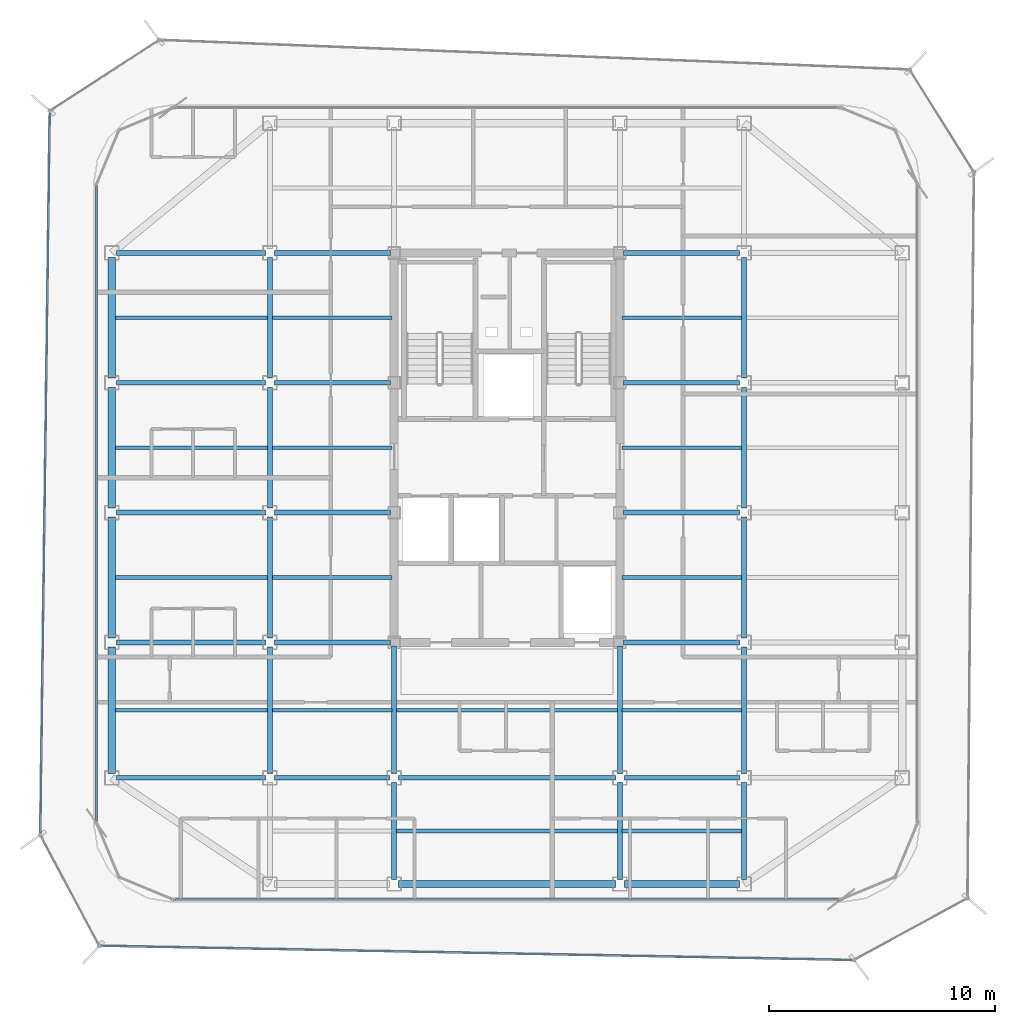
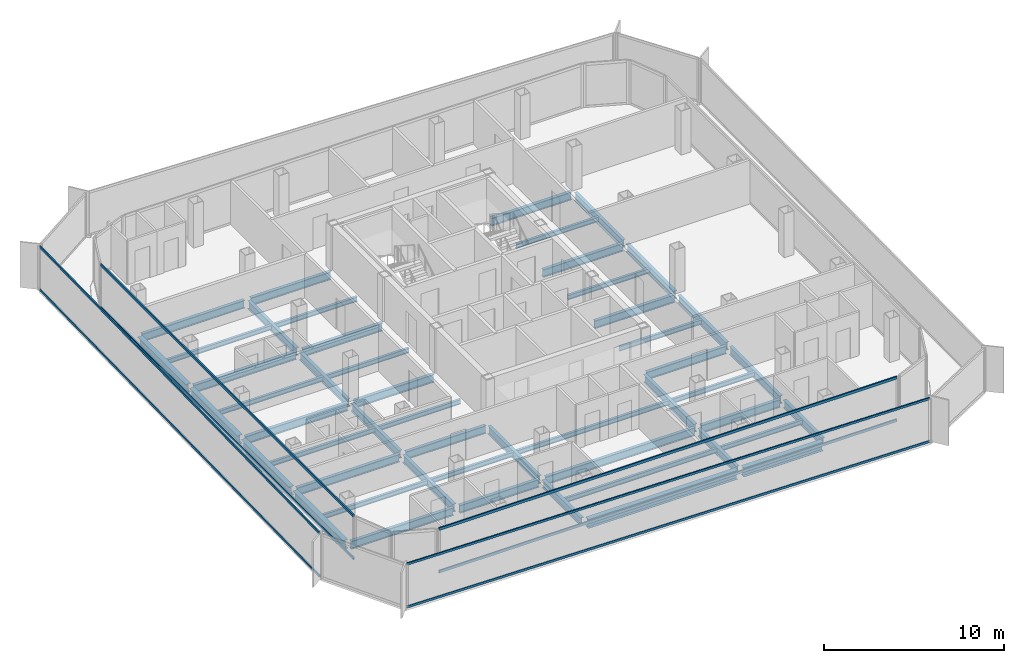
# One storey, part 3 of 15: 50 beams, 8 members, 4 elements without a shape of their own.
"""IFC4 building model written with IfcOpenShell, lengths in metres."""

from ifc_helpers import new_model, si_unit, direction, frame, origin, origin_2d, place, context, subcontext, project, spatial, hollow_rectangle, i_section, extrude, source, transform, mapped, material, layer, layer_set, material_profile, profile_set, type_object, element, aggregate, save


model = new_model("IFC4")

# Units and contexts
model_context = context("Model", 3, precision=1e-05, world=origin(), true_north=direction((0.0, 1.0)))
body_context = subcontext(model_context, "Body", "Model", "MODEL_VIEW")
ifc_project = project(units=[si_unit("LENGTHUNIT", "METRE"), si_unit("AREAUNIT", "SQUARE_METRE"), si_unit("VOLUMEUNIT", "CUBIC_METRE"), si_unit("PLANEANGLEUNIT", "RADIAN"), si_unit("MASSUNIT", "GRAM", prefix="KILO")], contexts=[model_context])

# Site, building, storey
site_placement = place(None, origin())
site = spatial("IfcSite", under=ifc_project, at=site_placement, CompositionType="ELEMENT")
building_placement = place(site_placement, origin())
building = spatial("IfcBuilding", under=site, at=building_placement, Name="Kolveth Station Tower", CompositionType="ELEMENT")
storey_placement = place(building_placement, frame((0.0, 0.0, 261.699951171875)))
storey = spatial("IfcBuildingStorey", under=building, at=storey_placement, Name="L75", CompositionType="ELEMENT", Elevation=261.699951171875)

# Beams
ifc_material_1 = material(Name="Steel S355", Category="steel")
ifc_material_profile_1 = material_profile(ifc_material_1, i_section(OverallWidth=0.323974609375, OverallDepth=0.611083984375, WebThickness=0.0126953125, FlangeThickness=0.01904296875, at=origin_2d()), Name="W610x155")
ifc_profile_set_1 = profile_set([ifc_material_profile_1], Name="Steel S355")
beam_type_1 = type_object("IfcBeamType", Name="Beam_SP2", PredefinedType="SPANDREL", material=ifc_profile_set_1)
shared_shape_1 = source(origin(), body_context, "Body", "SweptSolid", [
    extrude(i_section(OverallWidth=0.323974609375, OverallDepth=0.611083984375, WebThickness=0.0126953125, FlangeThickness=0.01904296875, at=origin_2d()), origin(), (0.0, 0.0, 1.0), 5.10009765625),
])
beam_1_placement = place(storey_placement, frame((28.699951171875, 0.800048828125, -0.525390625), z_axis=(1.0, 0.0, 0.0), x_axis=(0.0, 1.0, 0.0)))
element("IfcBeam", 1, at=beam_1_placement, inside=storey, type_object=beam_type_1, Name="L75 Perimeter Spandrel BM-L75-PS-3", PredefinedType="SPANDREL", context=body_context, shape_type="MappedRepresentation", body=[
    mapped(shared_shape_1, transform((0.0, 0.0, 0.0), x_axis=(1.0, 0.0, 0.0), y_axis=(0.0, 1.0, 0.0), z_axis=(0.0, 0.0, 1.0), scale=1.0)),
])
shared_shape_2 = source(origin(), body_context, "Body", "SweptSolid", [
    extrude(i_section(OverallWidth=0.323974609375, OverallDepth=0.611083984375, WebThickness=0.0126953125, FlangeThickness=0.01904296875, at=origin_2d()), origin(), (0.0, 0.0, 1.0), 9.60009765625),
])
beam_2_placement = place(storey_placement, frame((18.699951171875, 0.800048828125, -0.525390625), z_axis=(1.0, 0.0, 0.0), x_axis=(0.0, 1.0, 0.0)))
element("IfcBeam", 2, at=beam_2_placement, inside=storey, type_object=beam_type_1, Name="L75 Perimeter Spandrel BM-L75-PS-2", PredefinedType="SPANDREL", context=body_context, shape_type="MappedRepresentation", body=[
    mapped(shared_shape_2, transform((0.0, 0.0, 0.0), x_axis=(1.0, 0.0, 0.0), y_axis=(0.0, 1.0, 0.0), z_axis=(0.0, 0.0, 1.0), scale=1.0)),
])
shared_shape_3 = source(origin(), body_context, "Body", "SweptSolid", [
    extrude(i_section(OverallWidth=0.323974609375, OverallDepth=0.611083984375, WebThickness=0.0126953125, FlangeThickness=0.01904296875, at=origin_2d()), origin(), (0.0, 0.0, 1.0), 5.60009765625),
])
beam_3_placement = place(storey_placement, frame((6.0, 5.699951171875, -0.525390625), z_axis=(0.0, 1.0, 0.0), x_axis=(-1.0, 0.0, 0.0)))
element("IfcBeam", 3, at=beam_3_placement, inside=storey, type_object=beam_type_1, Name="L75 Perimeter Spandrel BM-L75-PW-1", PredefinedType="SPANDREL", context=body_context, shape_type="MappedRepresentation", body=[
    mapped(shared_shape_3, transform((0.0, 0.0, 0.0), x_axis=(1.0, 0.0, 0.0), y_axis=(0.0, 1.0, 0.0), z_axis=(0.0, 0.0, 1.0), scale=1.0)),
])
shared_shape_4 = source(origin(), body_context, "Body", "SweptSolid", [
    extrude(i_section(OverallWidth=0.323974609375, OverallDepth=0.611083984375, WebThickness=0.0126953125, FlangeThickness=0.01904296875, at=origin_2d()), origin(), (0.0, 0.0, 1.0), 5.35009765625),
])
for number, where, z_axis, x_axis, name in (
    (4, (6.0, 11.699951171875, -0.525390625), (0.0, 1.0, 0.0), (-1.0, 0.0, 0.0), "L75 Perimeter Spandrel BM-L75-PW-2"),
    (5, (6.0, 17.449951171875, -0.525390625), (0.0, 1.0, 0.0), (-1.0, 0.0, 0.0), "L75 Perimeter Spandrel BM-L75-PW-3"),
    (6, (6.0, 23.199951171875, -0.525390625), (0.0, 1.0, 0.0), (-1.0, 0.0, 0.0), "L75 Perimeter Spandrel BM-L75-PW-4"),
):
    element("IfcBeam", number, at=place(storey_placement, frame(where, z_axis=z_axis, x_axis=x_axis)), inside=storey, type_object=beam_type_1, Name=name, PredefinedType="SPANDREL", context=body_context, shape_type="MappedRepresentation", body=[
        mapped(shared_shape_4, transform((0.0, 0.0, 0.0), x_axis=(1.0, 0.0, 0.0), y_axis=(0.0, 1.0, 0.0), z_axis=(0.0, 0.0, 1.0), scale=1.0)),
    ])
ifc_material_profile_2 = material_profile(ifc_material_1, i_section(OverallWidth=0.2099609375, OverallDepth=0.537109375, WebThickness=0.010986328125, FlangeThickness=0.017333984375, at=origin_2d()), Name="W530x101")
ifc_profile_set_2 = profile_set([ifc_material_profile_2], Name="Steel S355")
beam_type_2 = type_object("IfcBeamType", Name="Beam_B6", PredefinedType="BEAM", material=ifc_profile_set_2)
shared_shape_5 = source(origin(), body_context, "Body", "SweptSolid", [
    extrude(i_section(OverallWidth=0.2099609375, OverallDepth=0.537109375, WebThickness=0.010986328125, FlangeThickness=0.017333984375, at=origin_2d()), origin(), (0.0, 0.0, 1.0), 6.60009765625),
])
for number, where, z_axis, x_axis, name in (
    (7, (6.199951171875, 5.5, -0.488525390625), (1.0, 0.0, 0.0), (0.0, 1.0, 0.0), "L75 Primary Girder BM-L75-GY55-1"),
    (8, (6.199951171875, 11.5, -0.488525390625), (1.0, 0.0, 0.0), (0.0, 1.0, 0.0), "L75 Primary Girder BM-L75-GY115-1"),
    (9, (6.199951171875, 17.25, -0.488525390625), (1.0, 0.0, 0.0), (0.0, 1.0, 0.0), "L75 Primary Girder BM-L75-GY172-1"),
    (10, (6.199951171875, 23.0, -0.488525390625), (1.0, 0.0, 0.0), (0.0, 1.0, 0.0), "L75 Primary Girder BM-L75-GY230-1"),
    (11, (6.199951171875, 28.75, -0.488525390625), (1.0, 0.0, 0.0), (0.0, 1.0, 0.0), "L75 Primary Girder BM-L75-GY287-1"),
):
    element("IfcBeam", number, at=place(storey_placement, frame(where, z_axis=z_axis, x_axis=x_axis)), inside=storey, type_object=beam_type_2, Name=name, PredefinedType="BEAM", context=body_context, shape_type="MappedRepresentation", body=[
        mapped(shared_shape_5, transform((0.0, 0.0, 0.0), x_axis=(1.0, 0.0, 0.0), y_axis=(0.0, 1.0, 0.0), z_axis=(0.0, 0.0, 1.0), scale=1.0)),
    ])
shared_shape_6 = source(origin(), body_context, "Body", "SweptSolid", [
    extrude(i_section(OverallWidth=0.2099609375, OverallDepth=0.537109375, WebThickness=0.010986328125, FlangeThickness=0.017333984375, at=origin_2d()), origin(), (0.0, 0.0, 1.0), 5.10009765625),
])
for number, where, z_axis, x_axis, name in (
    (12, (13.199951171875, 5.5, -0.488525390625), (1.0, 0.0, 0.0), (0.0, 1.0, 0.0), "L75 Primary Girder BM-L75-GY55-2"),
    (13, (28.699951171875, 5.5, -0.488525390625), (1.0, 0.0, 0.0), (0.0, 1.0, 0.0), "L75 Primary Girder BM-L75-GY55-4"),
):
    element("IfcBeam", number, at=place(storey_placement, frame(where, z_axis=z_axis, x_axis=x_axis)), inside=storey, type_object=beam_type_2, Name=name, PredefinedType="BEAM", context=body_context, shape_type="MappedRepresentation", body=[
        mapped(shared_shape_6, transform((0.0, 0.0, 0.0), x_axis=(1.0, 0.0, 0.0), y_axis=(0.0, 1.0, 0.0), z_axis=(0.0, 0.0, 1.0), scale=1.0)),
    ])
shared_shape_7 = source(origin(), body_context, "Body", "SweptSolid", [
    extrude(i_section(OverallWidth=0.2099609375, OverallDepth=0.537109375, WebThickness=0.010986328125, FlangeThickness=0.017333984375, at=origin_2d()), origin(), (0.0, 0.0, 1.0), 9.60009765625),
])
beam_4_placement = place(storey_placement, frame((18.699951171875, 5.5, -0.488525390625), z_axis=(1.0, 0.0, 0.0), x_axis=(0.0, 1.0, 0.0)))
element("IfcBeam", 14, at=beam_4_placement, inside=storey, type_object=beam_type_2, Name="L75 Primary Girder BM-L75-GY55-3", PredefinedType="BEAM", context=body_context, shape_type="MappedRepresentation", body=[
    mapped(shared_shape_7, transform((0.0, 0.0, 0.0), x_axis=(1.0, 0.0, 0.0), y_axis=(0.0, 1.0, 0.0), z_axis=(0.0, 0.0, 1.0), scale=1.0)),
])
shared_shape_8 = source(origin(), body_context, "Body", "SweptSolid", [
    extrude(i_section(OverallWidth=0.2099609375, OverallDepth=0.537109375, WebThickness=0.010986328125, FlangeThickness=0.017333984375, at=origin_2d()), origin(), (0.0, 0.0, 1.0), 5.14013671875),
])
for number, where, z_axis, x_axis, name in (
    (15, (13.199951171875, 11.5, -0.488525390625), (1.0, 0.0, 0.0), (0.0, 1.0, 0.0), "L75 Primary Girder BM-L75-GY115-2"),
    (16, (28.659912109375, 11.5, -0.488525390625), (1.0, 0.0, 0.0), (0.0, 1.0, 0.0), "L75 Primary Girder BM-L75-GY115-4"),
    (17, (13.199951171875, 17.25, -0.488525390625), (1.0, 0.0, 0.0), (0.0, 1.0, 0.0), "L75 Primary Girder BM-L75-GY172-2"),
    (18, (28.659912109375, 17.25, -0.488525390625), (1.0, 0.0, 0.0), (0.0, 1.0, 0.0), "L75 Primary Girder BM-L75-GY172-4"),
    (19, (13.199951171875, 23.0, -0.488525390625), (1.0, 0.0, 0.0), (0.0, 1.0, 0.0), "L75 Primary Girder BM-L75-GY230-2"),
    (20, (28.659912109375, 23.0, -0.488525390625), (1.0, 0.0, 0.0), (0.0, 1.0, 0.0), "L75 Primary Girder BM-L75-GY230-4"),
    (21, (13.199951171875, 28.75, -0.488525390625), (1.0, 0.0, 0.0), (0.0, 1.0, 0.0), "L75 Primary Girder BM-L75-GY287-2"),
    (22, (28.659912109375, 28.75, -0.488525390625), (1.0, 0.0, 0.0), (0.0, 1.0, 0.0), "L75 Primary Girder BM-L75-GY287-4"),
):
    element("IfcBeam", number, at=place(storey_placement, frame(where, z_axis=z_axis, x_axis=x_axis)), inside=storey, type_object=beam_type_2, Name=name, PredefinedType="BEAM", context=body_context, shape_type="MappedRepresentation", body=[
        mapped(shared_shape_8, transform((0.0, 0.0, 0.0), x_axis=(1.0, 0.0, 0.0), y_axis=(0.0, 1.0, 0.0), z_axis=(0.0, 0.0, 1.0), scale=1.0)),
    ])
shared_shape_9 = source(origin(), body_context, "Body", "SweptSolid", [
    extrude(i_section(OverallWidth=0.2099609375, OverallDepth=0.537109375, WebThickness=0.010986328125, FlangeThickness=0.017333984375, at=origin_2d()), origin(), (0.0, 0.0, 1.0), 4.300048828125),
])
for number, where, z_axis, x_axis, name in (
    (23, (18.5, 1.0, -0.488525390625), (0.0, 1.0, 0.0), (-1.0, 0.0, 0.0), "L75 Primary Girder BM-L75-GX185-1"),
    (24, (28.5, 1.0, -0.488525390625), (0.0, 1.0, 0.0), (-1.0, 0.0, 0.0), "L75 Primary Girder BM-L75-GX285-1"),
    (25, (34.0, 1.0, -0.488525390625), (0.0, 1.0, 0.0), (-1.0, 0.0, 0.0), "L75 Primary Girder BM-L75-GX340-1"),
):
    element("IfcBeam", number, at=place(storey_placement, frame(where, z_axis=z_axis, x_axis=x_axis)), inside=storey, type_object=beam_type_2, Name=name, PredefinedType="BEAM", context=body_context, shape_type="MappedRepresentation", body=[
        mapped(shared_shape_9, transform((0.0, 0.0, 0.0), x_axis=(1.0, 0.0, 0.0), y_axis=(0.0, 1.0, 0.0), z_axis=(0.0, 0.0, 1.0), scale=1.0)),
    ])
shared_shape_10 = source(origin(), body_context, "Body", "SweptSolid", [
    extrude(i_section(OverallWidth=0.2099609375, OverallDepth=0.537109375, WebThickness=0.010986328125, FlangeThickness=0.017333984375, at=origin_2d()), origin(), (0.0, 0.0, 1.0), 5.60009765625),
])
for number, where, z_axis, x_axis, name in (
    (26, (13.0, 5.699951171875, -0.488525390625), (0.0, 1.0, 0.0), (-1.0, 0.0, 0.0), "L75 Primary Girder BM-L75-GX130-2"),
    (27, (34.0, 5.699951171875, -0.488525390625), (0.0, 1.0, 0.0), (-1.0, 0.0, 0.0), "L75 Primary Girder BM-L75-GX340-2"),
):
    element("IfcBeam", number, at=place(storey_placement, frame(where, z_axis=z_axis, x_axis=x_axis)), inside=storey, type_object=beam_type_2, Name=name, PredefinedType="BEAM", context=body_context, shape_type="MappedRepresentation", body=[
        mapped(shared_shape_10, transform((0.0, 0.0, 0.0), x_axis=(1.0, 0.0, 0.0), y_axis=(0.0, 1.0, 0.0), z_axis=(0.0, 0.0, 1.0), scale=1.0)),
    ])
shared_shape_11 = source(origin(), body_context, "Body", "SweptSolid", [
    extrude(i_section(OverallWidth=0.2099609375, OverallDepth=0.537109375, WebThickness=0.010986328125, FlangeThickness=0.017333984375, at=origin_2d()), origin(), (0.0, 0.0, 1.0), 5.35009765625),
])
for number, where, z_axis, x_axis, name in (
    (28, (13.0, 11.699951171875, -0.488525390625), (0.0, 1.0, 0.0), (-1.0, 0.0, 0.0), "L75 Primary Girder BM-L75-GX130-3"),
    (29, (13.0, 17.449951171875, -0.488525390625), (0.0, 1.0, 0.0), (-1.0, 0.0, 0.0), "L75 Primary Girder BM-L75-GX130-4"),
    (30, (13.0, 23.199951171875, -0.488525390625), (0.0, 1.0, 0.0), (-1.0, 0.0, 0.0), "L75 Primary Girder BM-L75-GX130-5"),
    (31, (34.0, 11.699951171875, -0.488525390625), (0.0, 1.0, 0.0), (-1.0, 0.0, 0.0), "L75 Primary Girder BM-L75-GX340-3"),
    (32, (34.0, 17.449951171875, -0.488525390625), (0.0, 1.0, 0.0), (-1.0, 0.0, 0.0), "L75 Primary Girder BM-L75-GX340-4"),
    (33, (34.0, 23.199951171875, -0.488525390625), (0.0, 1.0, 0.0), (-1.0, 0.0, 0.0), "L75 Primary Girder BM-L75-GX340-5"),
):
    element("IfcBeam", number, at=place(storey_placement, frame(where, z_axis=z_axis, x_axis=x_axis)), inside=storey, type_object=beam_type_2, Name=name, PredefinedType="BEAM", context=body_context, shape_type="MappedRepresentation", body=[
        mapped(shared_shape_11, transform((0.0, 0.0, 0.0), x_axis=(1.0, 0.0, 0.0), y_axis=(0.0, 1.0, 0.0), z_axis=(0.0, 0.0, 1.0), scale=1.0)),
    ])
shared_shape_12 = source(origin(), body_context, "Body", "SweptSolid", [
    extrude(i_section(OverallWidth=0.2099609375, OverallDepth=0.537109375, WebThickness=0.010986328125, FlangeThickness=0.017333984375, at=origin_2d()), origin(), (0.0, 0.0, 1.0), 5.64013671875),
])
for number, where, z_axis, x_axis, name in (
    (34, (18.5, 5.699951171875, -0.488525390625), (0.0, 1.0, 0.0), (-1.0, 0.0, 0.0), "L75 Primary Girder BM-L75-GX185-2"),
    (35, (28.5, 5.699951171875, -0.488525390625), (0.0, 1.0, 0.0), (-1.0, 0.0, 0.0), "L75 Primary Girder BM-L75-GX285-2"),
):
    element("IfcBeam", number, at=place(storey_placement, frame(where, z_axis=z_axis, x_axis=x_axis)), inside=storey, type_object=beam_type_2, Name=name, PredefinedType="BEAM", context=body_context, shape_type="MappedRepresentation", body=[
        mapped(shared_shape_12, transform((0.0, 0.0, 0.0), x_axis=(1.0, 0.0, 0.0), y_axis=(0.0, 1.0, 0.0), z_axis=(0.0, 0.0, 1.0), scale=1.0)),
    ])
ifc_material_profile_3 = material_profile(ifc_material_1, i_section(OverallWidth=0.1650390625, OverallDepth=0.31005859375, WebThickness=0.005859375, FlangeThickness=0.009765625, at=origin_2d()), Name="W310x39")
ifc_profile_set_3 = profile_set([ifc_material_profile_3], Name="Steel S355")
beam_type_3 = type_object("IfcBeamType", Name="Beam_J3", PredefinedType="JOIST", material=ifc_profile_set_3)
shared_shape_13 = source(origin(), body_context, "Body", "SweptSolid", [
    extrude(i_section(OverallWidth=0.1650390625, OverallDepth=0.31005859375, WebThickness=0.005859375, FlangeThickness=0.009765625, at=origin_2d()), origin(), (0.0, 0.0, 1.0), 6.737060546875),
])
for number, where, z_axis, x_axis, name in (
    (36, (6.159912109375, 8.5, -0.375), (1.0, 0.0, 0.0), (0.0, 1.0, 0.0), "L75 Secondary Joist JST-L75-1-2"),
    (37, (6.159912109375, 14.375, -0.375), (1.0, 0.0, 0.0), (0.0, 1.0, 0.0), "L75 Secondary Joist JST-L75-1-3"),
    (38, (6.159912109375, 20.125, -0.375), (1.0, 0.0, 0.0), (0.0, 1.0, 0.0), "L75 Secondary Joist JST-L75-1-4"),
    (39, (6.159912109375, 25.875, -0.375), (1.0, 0.0, 0.0), (0.0, 1.0, 0.0), "L75 Secondary Joist JST-L75-1-5"),
):
    element("IfcBeam", number, at=place(storey_placement, frame(where, z_axis=z_axis, x_axis=x_axis)), inside=storey, type_object=beam_type_3, Name=name, PredefinedType="JOIST", context=body_context, shape_type="MappedRepresentation", body=[
        mapped(shared_shape_13, transform((0.0, 0.0, 0.0), x_axis=(1.0, 0.0, 0.0), y_axis=(0.0, 1.0, 0.0), z_axis=(0.0, 0.0, 1.0), scale=1.0)),
    ])
shared_shape_14 = source(origin(), body_context, "Body", "SweptSolid", [
    extrude(i_section(OverallWidth=0.1650390625, OverallDepth=0.31005859375, WebThickness=0.005859375, FlangeThickness=0.009765625, at=origin_2d()), origin(), (0.0, 0.0, 1.0), 5.2939453125),
])
for number, where, z_axis, x_axis, name in (
    (40, (13.10302734375, 8.5, -0.375), (1.0, 0.0, 0.0), (0.0, 1.0, 0.0), "L75 Secondary Joist JST-L75-2-2"),
    (41, (13.10302734375, 14.375, -0.375), (1.0, 0.0, 0.0), (0.0, 1.0, 0.0), "L75 Secondary Joist JST-L75-2-3"),
    (42, (13.10302734375, 20.125, -0.375), (1.0, 0.0, 0.0), (0.0, 1.0, 0.0), "L75 Secondary Joist JST-L75-2-4"),
    (43, (13.10302734375, 25.875, -0.375), (1.0, 0.0, 0.0), (0.0, 1.0, 0.0), "L75 Secondary Joist JST-L75-2-5"),
    (44, (28.60302734375, 3.14990234375, -0.375), (1.0, 0.0, 0.0), (0.0, 1.0, 0.0), "L75 Secondary Joist JST-L75-4-1"),
    (45, (28.60302734375, 8.5, -0.375), (1.0, 0.0, 0.0), (0.0, 1.0, 0.0), "L75 Secondary Joist JST-L75-4-2"),
    (46, (28.60302734375, 14.375, -0.375), (1.0, 0.0, 0.0), (0.0, 1.0, 0.0), "L75 Secondary Joist JST-L75-4-3"),
    (47, (28.60302734375, 20.125, -0.375), (1.0, 0.0, 0.0), (0.0, 1.0, 0.0), "L75 Secondary Joist JST-L75-4-4"),
    (48, (28.60302734375, 25.875, -0.375), (1.0, 0.0, 0.0), (0.0, 1.0, 0.0), "L75 Secondary Joist JST-L75-4-5"),
):
    element("IfcBeam", number, at=place(storey_placement, frame(where, z_axis=z_axis, x_axis=x_axis)), inside=storey, type_object=beam_type_3, Name=name, PredefinedType="JOIST", context=body_context, shape_type="MappedRepresentation", body=[
        mapped(shared_shape_14, transform((0.0, 0.0, 0.0), x_axis=(1.0, 0.0, 0.0), y_axis=(0.0, 1.0, 0.0), z_axis=(0.0, 0.0, 1.0), scale=1.0)),
    ])
shared_shape_15 = source(origin(), body_context, "Body", "SweptSolid", [
    extrude(i_section(OverallWidth=0.1650390625, OverallDepth=0.31005859375, WebThickness=0.005859375, FlangeThickness=0.009765625, at=origin_2d()), origin(), (0.0, 0.0, 1.0), 9.7939453125),
])
for number, where, z_axis, x_axis, name in (
    (49, (18.60302734375, 3.14990234375, -0.375), (1.0, 0.0, 0.0), (0.0, 1.0, 0.0), "L75 Secondary Joist JST-L75-3-1"),
    (50, (18.60302734375, 8.5, -0.375), (1.0, 0.0, 0.0), (0.0, 1.0, 0.0), "L75 Secondary Joist JST-L75-3-2"),
):
    element("IfcBeam", number, at=place(storey_placement, frame(where, z_axis=z_axis, x_axis=x_axis)), inside=storey, type_object=beam_type_3, Name=name, PredefinedType="JOIST", context=body_context, shape_type="MappedRepresentation", body=[
        mapped(shared_shape_15, transform((0.0, 0.0, 0.0), x_axis=(1.0, 0.0, 0.0), y_axis=(0.0, 1.0, 0.0), z_axis=(0.0, 0.0, 1.0), scale=1.0)),
    ])

# Curtain wall, members
ifc_material_2 = material(Name="Aluminium 6063-T6 and triple low-E dark glass", Category="aluminium")
ifc_layer_1 = layer(ifc_material_2, 0.199951171875)
ifc_layer_set_1 = layer_set([ifc_layer_1], Name="Aluminium 6063-T6 and triple low-E dark glass")
curtain_wall_type_1 = type_object("IfcCurtainWallType", Name="CurtainWall_CW-Z3", PredefinedType="NOTDEFINED", material=ifc_layer_set_1)
curtain_wall_1_placement = place(storey_placement, origin())
curtain_wall_1 = element("IfcCurtainWall", 51, at=curtain_wall_1_placement, inside=storey, type_object=curtain_wall_type_1, Name="L75 Inner Thermal Curtain Wall 9", PredefinedType="NOTDEFINED")
ifc_material_3 = material(Name="Black anodized aluminium 6063-T6", Category="aluminium")
ifc_material_profile_4 = material_profile(ifc_material_3, hollow_rectangle(XDim=0.0849609375, YDim=0.179931640625, WallThickness=0.0048828125, at=origin_2d()), Name="ALU-85x180x5")
ifc_profile_set_4 = profile_set([ifc_material_profile_4], Name="Black anodized aluminium 6063-T6")
member_type_1 = type_object("IfcMemberType", Name="Transom_TR3", PredefinedType="USERDEFINED", material=ifc_profile_set_4)
shared_shape_16 = source(origin(), body_context, "Body", "SweptSolid", [
    extrude(hollow_rectangle(XDim=0.0849609375, YDim=0.179931640625, WallThickness=0.0048828125, at=origin_2d()), origin(), (0.0, 0.0, 1.0), 28.130126953125),
])
member_1_placement = place(storey_placement, frame((5.320068359375, 31.715087890625, 0.04248046875), z_axis=(0.0, -1.0, 0.0), x_axis=(1.0, 0.0, 0.0)))
member_1 = element("IfcMember", 52, at=member_1_placement, type_object=member_type_1, Name="CW-Z3 transom 1.1", ObjectType="TRANSOM", PredefinedType="USERDEFINED", context=body_context, shape_type="MappedRepresentation", body=[
    mapped(shared_shape_16, transform((0.0, 0.0, 0.0), x_axis=(1.0, 0.0, 0.0), y_axis=(0.0, 1.0, 0.0), z_axis=(0.0, 0.0, 1.0), scale=1.0)),
])
member_2_placement = place(storey_placement, frame((5.320068359375, 31.715087890625, 2.9375), z_axis=(0.0, -1.0, 0.0), x_axis=(1.0, 0.0, 0.0)))
member_2 = element("IfcMember", 53, at=member_2_placement, type_object=member_type_1, Name="CW-Z3 transom 1.2", ObjectType="TRANSOM", PredefinedType="USERDEFINED", context=body_context, shape_type="MappedRepresentation", body=[
    mapped(shared_shape_16, transform((0.0, 0.0, 0.0), x_axis=(1.0, 0.0, 0.0), y_axis=(0.0, 1.0, 0.0), z_axis=(0.0, 0.0, 1.0), scale=1.0)),
])
aggregate(curtain_wall_1, [member_1, member_2])

curtain_wall_2_placement = place(storey_placement, origin())
curtain_wall_2 = element("IfcCurtainWall", 54, at=curtain_wall_2_placement, inside=storey, type_object=curtain_wall_type_1, Name="L75 Inner Thermal Curtain Wall 12", PredefinedType="NOTDEFINED")
shared_shape_17 = source(origin(), body_context, "Body", "SweptSolid", [
    extrude(hollow_rectangle(XDim=0.0849609375, YDim=0.179931640625, WallThickness=0.0048828125, at=origin_2d()), origin(), (0.0, 0.0, 1.0), 29.43017578125),
])
member_3_placement = place(storey_placement, frame((8.784912109375, 0.1201171875, 0.04248046875), z_axis=(1.0, 0.0, 0.0), x_axis=(0.0, 1.0, 0.0)))
member_3 = element("IfcMember", 55, at=member_3_placement, type_object=member_type_1, Name="CW-Z3 transom 1.1", ObjectType="TRANSOM", PredefinedType="USERDEFINED", context=body_context, shape_type="MappedRepresentation", body=[
    mapped(shared_shape_17, transform((0.0, 0.0, 0.0), x_axis=(1.0, 0.0, 0.0), y_axis=(0.0, 1.0, 0.0), z_axis=(0.0, 0.0, 1.0), scale=1.0)),
])
member_4_placement = place(storey_placement, frame((8.784912109375, 0.1201171875, 2.9375), z_axis=(1.0, 0.0, 0.0), x_axis=(0.0, 1.0, 0.0)))
member_4 = element("IfcMember", 56, at=member_4_placement, type_object=member_type_1, Name="CW-Z3 transom 1.2", ObjectType="TRANSOM", PredefinedType="USERDEFINED", context=body_context, shape_type="MappedRepresentation", body=[
    mapped(shared_shape_17, transform((0.0, 0.0, 0.0), x_axis=(1.0, 0.0, 0.0), y_axis=(0.0, 1.0, 0.0), z_axis=(0.0, 0.0, 1.0), scale=1.0)),
])
aggregate(curtain_wall_2, [member_3, member_4])

ifc_material_4 = material(Name="Black anodized aluminium 6063-T6 and dark solar glass", Category="aluminium")
ifc_layer_2 = layer(ifc_material_4, 0.159912109375)
ifc_layer_set_2 = layer_set([ifc_layer_2], Name="Black anodized aluminium 6063-T6 and dark solar glass")
curtain_wall_type_2 = type_object("IfcCurtainWallType", Name="OUTER SKIN CW-OS", PredefinedType="NOTDEFINED", material=ifc_layer_set_2)
curtain_wall_3_placement = place(storey_placement, origin())
curtain_wall_3 = element("IfcCurtainWall", 57, at=curtain_wall_3_placement, inside=storey, type_object=curtain_wall_type_2, Name="L75 Outer Ventilated Skin Curtain Wall 6", PredefinedType="NOTDEFINED")
ifc_material_profile_5 = material_profile(ifc_material_3, hollow_rectangle(XDim=0.080078125, YDim=0.14990234375, WallThickness=0.0048828125, at=origin_2d()), Name="ALU-80x150x5")
ifc_profile_set_5 = profile_set([ifc_material_profile_5], Name="Black anodized aluminium 6063-T6")
member_type_2 = type_object("IfcMemberType", Name="Transom_TR-OS", PredefinedType="USERDEFINED", material=ifc_profile_set_5)
shared_shape_18 = source(origin(), body_context, "Body", "SweptSolid", [
    extrude(hollow_rectangle(XDim=0.080078125, YDim=0.14990234375, WallThickness=0.0048828125, at=origin_2d()), origin(), (0.0, 0.0, 1.0), 31.886962890625),
])
member_5_placement = place(storey_placement, frame((3.25244140625, 34.950439453125, 0.0400390625), z_axis=(-0.013107803492, -0.999914089053, 0.0), x_axis=(0.999914089053, -0.013107803492, 0.0)))
member_5 = element("IfcMember", 58, at=member_5_placement, type_object=member_type_2, Name="CW-OS transom 1.1", ObjectType="TRANSOM", PredefinedType="USERDEFINED", context=body_context, shape_type="MappedRepresentation", body=[
    mapped(shared_shape_18, transform((0.0, 0.0, 0.0), x_axis=(1.0, 0.0, 0.0), y_axis=(0.0, 1.0, 0.0), z_axis=(0.0, 0.0, 1.0), scale=1.0)),
])
member_6_placement = place(storey_placement, frame((3.25244140625, 34.950439453125, 2.949951171875), z_axis=(-0.013107803492, -0.999914089053, 0.0), x_axis=(0.999914089053, -0.013107803492, 0.0)))
member_6 = element("IfcMember", 59, at=member_6_placement, type_object=member_type_2, Name="CW-OS transom 1.2", ObjectType="TRANSOM", PredefinedType="USERDEFINED", context=body_context, shape_type="MappedRepresentation", body=[
    mapped(shared_shape_18, transform((0.0, 0.0, 0.0), x_axis=(1.0, 0.0, 0.0), y_axis=(0.0, 1.0, 0.0), z_axis=(0.0, 0.0, 1.0), scale=1.0)),
])
aggregate(curtain_wall_3, [member_5, member_6])

curtain_wall_4_placement = place(storey_placement, origin())
curtain_wall_4 = element("IfcCurtainWall", 60, at=curtain_wall_4_placement, inside=storey, type_object=curtain_wall_type_2, Name="L75 Outer Ventilated Skin Curtain Wall 8", PredefinedType="NOTDEFINED")
shared_shape_19 = source(origin(), body_context, "Body", "SweptSolid", [
    extrude(hollow_rectangle(XDim=0.080078125, YDim=0.14990234375, WallThickness=0.0048828125, at=origin_2d()), origin(), (0.0, 0.0, 1.0), 33.24267578125),
])
member_7_placement = place(storey_placement, frame((5.53662109375, -1.939453125, 0.0400390625), z_axis=(0.999821027466, -0.018918589716, 0.0), x_axis=(0.018918589716, 0.999821027466, 0.0)))
member_7 = element("IfcMember", 61, at=member_7_placement, type_object=member_type_2, Name="CW-OS transom 1.1", ObjectType="TRANSOM", PredefinedType="USERDEFINED", context=body_context, shape_type="MappedRepresentation", body=[
    mapped(shared_shape_19, transform((0.0, 0.0, 0.0), x_axis=(1.0, 0.0, 0.0), y_axis=(0.0, 1.0, 0.0), z_axis=(0.0, 0.0, 1.0), scale=1.0)),
])
member_8_placement = place(storey_placement, frame((5.53662109375, -1.939453125, 2.949951171875), z_axis=(0.999821027466, -0.018918589716, 0.0), x_axis=(0.018918589716, 0.999821027466, 0.0)))
member_8 = element("IfcMember", 62, at=member_8_placement, type_object=member_type_2, Name="CW-OS transom 1.2", ObjectType="TRANSOM", PredefinedType="USERDEFINED", context=body_context, shape_type="MappedRepresentation", body=[
    mapped(shared_shape_19, transform((0.0, 0.0, 0.0), x_axis=(1.0, 0.0, 0.0), y_axis=(0.0, 1.0, 0.0), z_axis=(0.0, 0.0, 1.0), scale=1.0)),
])
aggregate(curtain_wall_4, [member_7, member_8])

save(model, "model.ifc")
